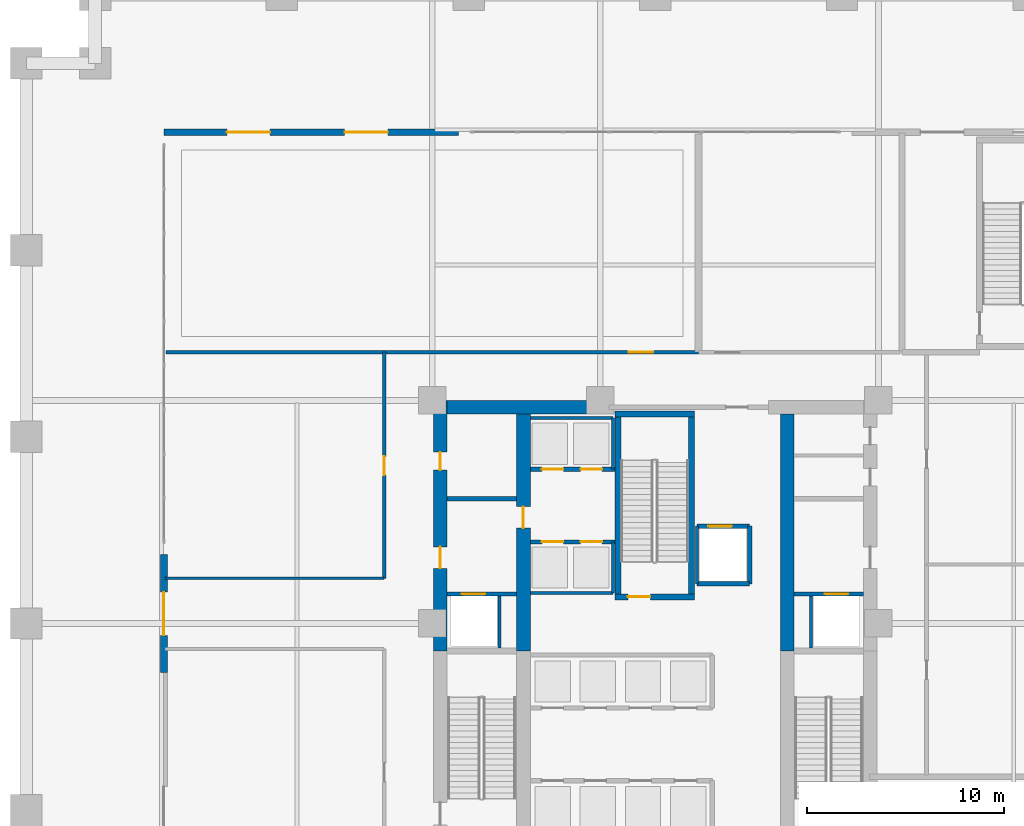
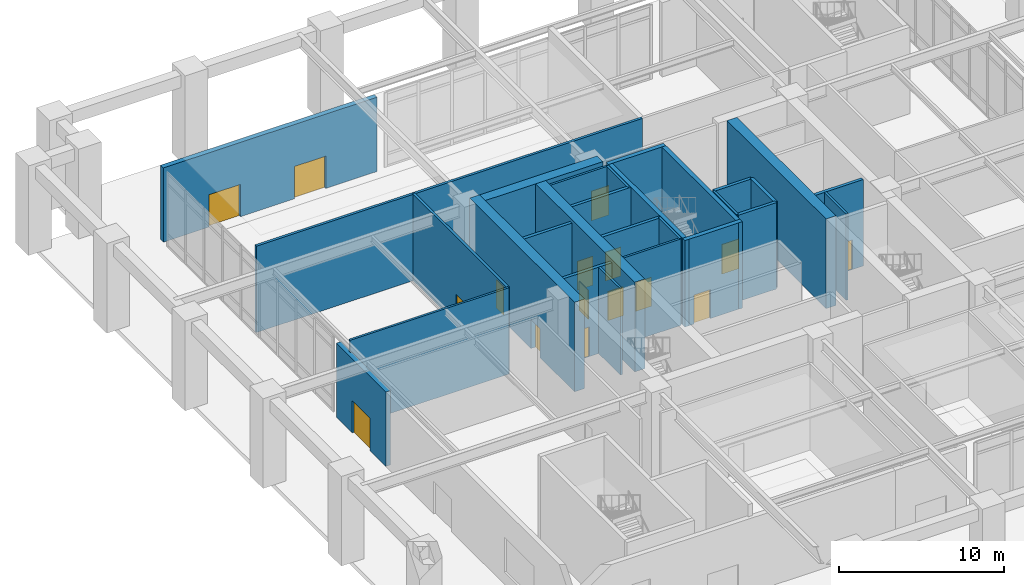
# One storey, part 10 of 17: 28 walls, 16 doors, 16 openings.
"""IFC4 building model written with IfcOpenShell, lengths in metres."""

from ifc_helpers import new_model, si_unit, direction, frame, frame_2d, origin, place, context, subcontext, project, spatial, rectangle, extrude, material, layer, layer_set, type_object, element, fill, save


model = new_model("IFC4")

# Units and contexts
model_context = context("Model", 3, precision=1e-05, world=origin(), true_north=direction((0.0, 1.0)))
body_context = subcontext(model_context, "Body", "Model", "MODEL_VIEW")
ifc_project = project(units=[si_unit("LENGTHUNIT", "METRE"), si_unit("AREAUNIT", "SQUARE_METRE"), si_unit("VOLUMEUNIT", "CUBIC_METRE"), si_unit("PLANEANGLEUNIT", "RADIAN"), si_unit("MASSUNIT", "GRAM", prefix="KILO")], contexts=[model_context])

# Site, building, storey
site_placement = place(None, origin())
site = spatial("IfcSite", under=ifc_project, at=site_placement, CompositionType="ELEMENT")
building_placement = place(site_placement, origin())
building = spatial("IfcBuilding", under=site, at=building_placement, Name="Nhamokura Convention Tower", CompositionType="ELEMENT")
storey_placement = place(building_placement, origin())
storey = spatial("IfcBuildingStorey", under=building, at=storey_placement, Name="L00", CompositionType="ELEMENT", Elevation=0.0)

# Wall, openings, doors
ifc_material_1 = material(Name="Warm buff architectural precast concrete C45/55", Category="concrete")
ifc_layer_1 = layer(ifc_material_1, 0.340087890625)
ifc_layer_set_1 = layer_set([ifc_layer_1], Name="CastStoneBaseWall_340")
wall_type_1 = type_object("IfcWallType", Name="CastStoneBaseWall_340", PredefinedType="USERDEFINED", material=ifc_layer_set_1)
wall_1_placement = place(storey_placement, frame((7.0, 57.0, 0.0), z_axis=(0.0, 0.0, 1.0), x_axis=(1.0, 0.0, 0.0)))
wall_1 = element("IfcWall", 1, at=wall_1_placement, inside=storey, type_object=wall_type_1, Name="L00 Arrival Pavilion Wall NL", ObjectType="SPANDREL_WALL", PredefinedType="USERDEFINED", context=body_context, shape_type="SweptSolid", body=[
    extrude(rectangle(XDim=15.0, YDim=0.340087890625, at=frame_2d((7.5, 0.0))), origin(), (0.0, 0.0, 1.0), 5.510009765625),
])
opening_1_placement = place(wall_1_placement, frame((3.199951171875, 0.0, 0.0)))
opening_1 = element("IfcOpeningElement", 2, at=opening_1_placement, cuts=wall_1, Name="Opening D-01", PredefinedType="OPENING", context=body_context, shape_type="SweptSolid", body=[
    extrude(rectangle(XDim=2.199951171875, YDim=2.39990234375, at=frame_2d((1.10009765625, 1.199951171875))), frame((0.0, 0.179931640625, 0.0), z_axis=(0.0, -1.0, 0.0), x_axis=(1.0, 0.0, 0.0)), (0.0, 0.0, 1.0), 0.360107421875),
])
opening_2_placement = place(wall_1_placement, frame((9.199951171875, 0.0, 0.0)))
opening_2 = element("IfcOpeningElement", 3, at=opening_2_placement, cuts=wall_1, Name="Opening D-01", PredefinedType="OPENING", context=body_context, shape_type="SweptSolid", body=[
    extrude(rectangle(XDim=2.199951171875, YDim=2.39990234375, at=frame_2d((1.10009765625, 1.199951171875))), frame((0.0, 0.179931640625, 0.0), z_axis=(0.0, -1.0, 0.0), x_axis=(1.0, 0.0, 0.0)), (0.0, 0.0, 1.0), 0.360107421875),
])
ifc_material_2 = material(Name="Anodised bronze aluminium AA6063-T6", Category="aluminium")
door_type_1 = type_object("IfcDoorType", Name="FinalExitDoubleDoor_2200", OperationType="DOUBLE_DOOR_SINGLE_SWING", PredefinedType="DOOR", material=ifc_material_2)
door_1_placement = place(opening_1_placement, origin())
door_1 = element("IfcDoor", 4, at=door_1_placement, inside=storey, type_object=door_type_1, Name="L00 Pedestrian Final Exit Door EX-06", OperationType="DOUBLE_DOOR_SINGLE_SWING", OverallHeight=2.39990234375, OverallWidth=2.199951171875, PredefinedType="DOOR", context=body_context, shape_type="SweptSolid", body=[
    extrude(rectangle(XDim=2.199951171875, YDim=2.39990234375, at=frame_2d((1.10009765625, 1.199951171875))), frame((0.0, 0.02490234375, 0.0), z_axis=(0.0, -1.0, 0.0), x_axis=(1.0, 0.0, 0.0)), (0.0, 0.0, 1.0), 0.050048828125),
])
fill(opening_1, door_1)
door_2_placement = place(opening_2_placement, origin())
door_2 = element("IfcDoor", 5, at=door_2_placement, inside=storey, type_object=door_type_1, Name="L00 Pedestrian Final Exit Door EX-07", OperationType="DOUBLE_DOOR_SINGLE_SWING", OverallHeight=2.39990234375, OverallWidth=2.199951171875, PredefinedType="DOOR", context=body_context, shape_type="SweptSolid", body=[
    extrude(rectangle(XDim=2.199951171875, YDim=2.39990234375, at=frame_2d((1.10009765625, 1.199951171875))), frame((0.0, 0.02490234375, 0.0), z_axis=(0.0, -1.0, 0.0), x_axis=(1.0, 0.0, 0.0)), (0.0, 0.0, 1.0), 0.050048828125),
])
fill(opening_2, door_2)

# Wall, opening, door
wall_2_placement = place(storey_placement, frame((7.0, 29.5, 0.0), z_axis=(0.0, 0.0, 1.0), x_axis=(0.0, 1.0, 0.0)))
wall_2 = element("IfcWall", 6, at=wall_2_placement, inside=storey, type_object=wall_type_1, Name="L00 Arrival Pavilion Wall WM", ObjectType="SPANDREL_WALL", PredefinedType="USERDEFINED", context=body_context, shape_type="SweptSolid", body=[
    extrude(rectangle(XDim=6.0, YDim=0.340087890625, at=frame_2d((3.0, 0.0))), origin(), (0.0, 0.0, 1.0), 5.510009765625),
])
opening_3_placement = place(wall_2_placement, frame((1.89990234375, 0.0, 0.0)))
opening_3 = element("IfcOpeningElement", 7, at=opening_3_placement, cuts=wall_2, Name="Opening D-01", PredefinedType="OPENING", context=body_context, shape_type="SweptSolid", body=[
    extrude(rectangle(XDim=2.199951171875, YDim=2.39990234375, at=frame_2d((1.10009765625, 1.199951171875))), frame((0.0, 0.179931640625, 0.0), z_axis=(0.0, -1.0, 0.0), x_axis=(1.0, 0.0, 0.0)), (0.0, 0.0, 1.0), 0.360107421875),
])
door_3_placement = place(opening_3_placement, origin())
door_3 = element("IfcDoor", 8, at=door_3_placement, inside=storey, type_object=door_type_1, Name="L00 Pedestrian Final Exit Door EX-08", OperationType="DOUBLE_DOOR_SINGLE_SWING", OverallHeight=2.39990234375, OverallWidth=2.199951171875, PredefinedType="DOOR", context=body_context, shape_type="SweptSolid", body=[
    extrude(rectangle(XDim=2.199951171875, YDim=2.39990234375, at=frame_2d((1.10009765625, 1.199951171875))), frame((0.0, 0.02490234375, 0.0), z_axis=(0.0, -1.0, 0.0), x_axis=(1.0, 0.0, 0.0)), (0.0, 0.0, 1.0), 0.050048828125),
])
fill(opening_3, door_3)

# Wall, openings, doors
ifc_material_3 = material(Name="Concrete C70/85", Category="concrete")
ifc_layer_2 = layer(ifc_material_3, 0.699951171875)
ifc_layer_set_2 = layer_set([ifc_layer_2], Name="CoreShearWall_700")
wall_type_2 = type_object("IfcWallType", Name="CoreShearWall_700", PredefinedType="SHEAR", material=ifc_layer_set_2)
wall_3_placement = place(storey_placement, frame((21.06005859375, 30.60009765625, 0.0), z_axis=(0.0, 0.0, 1.0), x_axis=(0.0, 1.0, 0.0)))
wall_3 = element("IfcWall", 9, at=wall_3_placement, inside=storey, type_object=wall_type_2, Name="L00 Core Shear Wall CW-WN", PredefinedType="SHEAR", context=body_context, shape_type="SweptSolid", body=[
    extrude(rectangle(XDim=12.75, YDim=0.699951171875, at=frame_2d((6.375, 0.0))), origin(), (0.0, 0.0, 1.0), 6.64990234375),
])
opening_4_placement = place(wall_3_placement, frame((4.199951171875, 0.0, 0.0)))
opening_4 = element("IfcOpeningElement", 10, at=opening_4_placement, cuts=wall_3, Name="Opening D-05", PredefinedType="OPENING", context=body_context, shape_type="SweptSolid", body=[
    extrude(rectangle(XDim=1.10009765625, YDim=2.14990234375, at=frame_2d((0.550048828125, 1.074951171875))), frame((0.0, 0.35986328125, 0.0), z_axis=(0.0, -1.0, 0.0), x_axis=(1.0, 0.0, 0.0)), (0.0, 0.0, 1.0), 0.719970703125),
])
opening_5_placement = place(wall_3_placement, frame((9.199951171875, 0.0, 0.0)))
opening_5 = element("IfcOpeningElement", 11, at=opening_5_placement, cuts=wall_3, Name="Opening D-10", PredefinedType="OPENING", context=body_context, shape_type="SweptSolid", body=[
    extrude(rectangle(XDim=0.919921875, YDim=2.10009765625, at=frame_2d((0.4599609375, 1.050048828125))), frame((0.0, 0.35986328125, 0.0), z_axis=(0.0, -1.0, 0.0), x_axis=(1.0, 0.0, 0.0)), (0.0, 0.0, 1.0), 0.719970703125),
])
ifc_material_4 = material(Name="Solid oak hardwood", Category="wood")
door_type_2 = type_object("IfcDoorType", Name="AccessibleWCDoor_920", OperationType="NOTDEFINED", PredefinedType="DOOR", material=ifc_material_4)
door_4_placement = place(opening_5_placement, origin())
door_4 = element("IfcDoor", 12, at=door_4_placement, inside=storey, type_object=door_type_2, Name="L00 Core Door INT-L00-D-AWC", OperationType="SINGLE_SWING_LEFT", OverallHeight=2.10009765625, OverallWidth=0.919921875, PredefinedType="DOOR", context=body_context, shape_type="SweptSolid", body=[
    extrude(rectangle(XDim=0.919921875, YDim=2.10009765625, at=frame_2d((0.4599609375, 1.050048828125))), frame((0.0, 0.02490234375, 0.0), z_axis=(0.0, -1.0, 0.0), x_axis=(1.0, 0.0, 0.0)), (0.0, 0.0, 1.0), 0.050048828125),
])
fill(opening_5, door_4)
ifc_material_5 = material(Name="Fire-rated steel door", Category="steel")
door_type_3 = type_object("IfcDoorType", Name="FireLobbyDoor_1100", OperationType="NOTDEFINED", PredefinedType="DOOR", material=ifc_material_5)
door_5_placement = place(opening_4_placement, origin())
door_5 = element("IfcDoor", 13, at=door_5_placement, inside=storey, type_object=door_type_3, Name="L00 Core Door INT-L00-D-FFLW", OperationType="SINGLE_SWING_RIGHT", OverallHeight=2.14990234375, OverallWidth=1.10009765625, PredefinedType="DOOR", context=body_context, shape_type="SweptSolid", body=[
    extrude(rectangle(XDim=1.10009765625, YDim=2.14990234375, at=frame_2d((0.550048828125, 1.074951171875))), frame((0.0, 0.02490234375, 0.0), z_axis=(0.0, -1.0, 0.0), x_axis=(1.0, 0.0, 0.0)), (0.0, 0.0, 1.0), 0.050048828125),
])
fill(opening_4, door_5)

# Wall
wall_4_placement = place(storey_placement, frame((21.409912109375, 43.0, 0.0), z_axis=(0.0, 0.0, 1.0), x_axis=(1.0, 0.0, 0.0)))
element("IfcWall", 14, at=wall_4_placement, inside=storey, type_object=wall_type_2, Name="L00 Core Shear Wall CW-N1", PredefinedType="SHEAR", context=body_context, shape_type="SweptSolid", body=[
    extrude(rectangle(XDim=8.239990234375, YDim=0.699951171875, at=frame_2d((4.1201171875, 0.0))), origin(), (0.0, 0.0, 1.0), 6.64990234375),
])

# Wall, opening, door
wall_5_placement = place(storey_placement, frame((25.2900390625, 30.60009765625, 0.0), z_axis=(0.0, 0.0, 1.0), x_axis=(0.0, 1.0, 0.0)))
wall_5 = element("IfcWall", 15, at=wall_5_placement, inside=storey, type_object=wall_type_2, Name="L00 Core Shear Wall CW-IWN", PredefinedType="SHEAR", context=body_context, shape_type="SweptSolid", body=[
    extrude(rectangle(XDim=12.0498046875, YDim=0.699951171875, at=frame_2d((6.02490234375, 0.0))), origin(), (0.0, 0.0, 1.0), 6.64990234375),
])
opening_6_placement = place(wall_5_placement, frame((6.25, 0.0, 0.0)))
opening_6 = element("IfcOpeningElement", 16, at=opening_6_placement, cuts=wall_5, Name="Opening D-05", PredefinedType="OPENING", context=body_context, shape_type="SweptSolid", body=[
    extrude(rectangle(XDim=1.10009765625, YDim=2.14990234375, at=frame_2d((0.550048828125, 1.074951171875))), frame((0.0, 0.35986328125, 0.0), z_axis=(0.0, -1.0, 0.0), x_axis=(1.0, 0.0, 0.0)), (0.0, 0.0, 1.0), 0.719970703125),
])
door_6_placement = place(opening_6_placement, origin())
door_6 = element("IfcDoor", 17, at=door_6_placement, inside=storey, type_object=door_type_3, Name="L00 Core Door INT-L00-D-B3LOB", OperationType="SINGLE_SWING_LEFT", OverallHeight=2.14990234375, OverallWidth=1.10009765625, PredefinedType="DOOR", context=body_context, shape_type="SweptSolid", body=[
    extrude(rectangle(XDim=1.10009765625, YDim=2.14990234375, at=frame_2d((0.550048828125, 1.074951171875))), frame((0.0, 0.02490234375, 0.0), z_axis=(0.0, -1.0, 0.0), x_axis=(1.0, 0.0, 0.0)), (0.0, 0.0, 1.0), 0.050048828125),
])
fill(opening_6, door_6)

# Wall
wall_6_placement = place(storey_placement, frame((38.7099609375, 30.60009765625, 0.0), z_axis=(0.0, 0.0, 1.0), x_axis=(0.0, 1.0, 0.0)))
element("IfcWall", 18, at=wall_6_placement, inside=storey, type_object=wall_type_2, Name="L00 Core Shear Wall CW-IEN", PredefinedType="SHEAR", context=body_context, shape_type="SweptSolid", body=[
    extrude(rectangle(XDim=12.0498046875, YDim=0.699951171875, at=frame_2d((6.02490234375, 0.0))), origin(), (0.0, 0.0, 1.0), 6.64990234375),
])

# Wall, opening, door
ifc_material_6 = material(Name="Fire-rated gypsum and masonry partition", Category="masonry")
ifc_layer_3 = layer(ifc_material_6, 0.179931640625)
ifc_layer_set_3 = layer_set([ifc_layer_3], Name="CorridorRatedWall_180")
wall_type_3 = type_object("IfcWallType", Name="CorridorRatedWall_180", PredefinedType="STANDARD", material=ifc_layer_set_3)
wall_7_placement = place(storey_placement, frame((7.10009765625, 45.800048828125, 0.0), z_axis=(0.0, 0.0, 1.0), x_axis=(1.0, 0.0, 0.0)))
wall_7 = element("IfcWall", 19, at=wall_7_placement, inside=storey, type_object=wall_type_3, Name="L00 Wall INT-L00-CW-N00", PredefinedType="STANDARD", context=body_context, shape_type="SweptSolid", body=[
    extrude(rectangle(XDim=27.099853515625, YDim=0.179931640625, at=frame_2d((13.5498046875, 0.0))), origin(), (0.0, 0.0, 1.0), 6.409912109375),
])
opening_7_placement = place(wall_7_placement, frame((23.550048828125, 0.0, 0.0)))
opening_7 = element("IfcOpeningElement", 20, at=opening_7_placement, cuts=wall_7, Name="Opening D-12", PredefinedType="OPENING", context=body_context, shape_type="SweptSolid", body=[
    extrude(rectangle(XDim=1.25, YDim=2.199951171875, at=frame_2d((0.625, 1.10009765625))), frame((0.0, 0.099853515625, 0.0), z_axis=(0.0, -1.0, 0.0), x_axis=(1.0, 0.0, 0.0)), (0.0, 0.0, 1.0), 0.199951171875),
])
ifc_material_7 = material(Name="Fire-rated steel door", Category="steel")
door_type_4 = type_object("IfcDoorType", Name="PlantServiceDoor_1250", OperationType="NOTDEFINED", PredefinedType="DOOR", material=ifc_material_7)
door_7_placement = place(opening_7_placement, origin())
door_7 = element("IfcDoor", 21, at=door_7_placement, inside=storey, type_object=door_type_4, Name="L00 Fire Command Room N01 Door", OperationType="SINGLE_SWING_LEFT", OverallHeight=2.199951171875, OverallWidth=1.25, PredefinedType="DOOR", context=body_context, shape_type="SweptSolid", body=[
    extrude(rectangle(XDim=1.25, YDim=2.199951171875, at=frame_2d((0.625, 1.10009765625))), frame((0.0, 0.02490234375, 0.0), z_axis=(0.0, -1.0, 0.0), x_axis=(1.0, 0.0, 0.0)), (0.0, 0.0, 1.0), 0.050048828125),
])
fill(opening_7, door_7)

wall_8_placement = place(storey_placement, frame((18.199951171875, 34.300048828125, 0.0), z_axis=(0.0, 0.0, 1.0), x_axis=(0.0, 1.0, 0.0)))
wall_8 = element("IfcWall", 22, at=wall_8_placement, inside=storey, type_object=wall_type_3, Name="L00 Wall INT-L00-CW-WN00", PredefinedType="STANDARD", context=body_context, shape_type="SweptSolid", body=[
    extrude(rectangle(XDim=11.5, YDim=0.179931640625, at=frame_2d((5.75, 0.0))), origin(), (0.0, 0.0, 1.0), 6.409912109375),
])
opening_8_placement = place(wall_8_placement, frame((5.25, 0.0, 0.0)))
opening_8 = element("IfcOpeningElement", 23, at=opening_8_placement, cuts=wall_8, Name="Opening D-09", PredefinedType="OPENING", context=body_context, shape_type="SweptSolid", body=[
    extrude(rectangle(XDim=0.949951171875, YDim=2.14990234375, at=frame_2d((0.47509765625, 1.074951171875))), frame((0.0, 0.099853515625, 0.0), z_axis=(0.0, -1.0, 0.0), x_axis=(1.0, 0.0, 0.0)), (0.0, 0.0, 1.0), 0.199951171875),
])
ifc_material_8 = material(Name="Solid oak hardwood", Category="wood")
door_type_5 = type_object("IfcDoorType", Name="MeetingRoomDoor_950", OperationType="NOTDEFINED", PredefinedType="DOOR", material=ifc_material_8)
door_8_placement = place(opening_8_placement, origin())
door_8 = element("IfcDoor", 24, at=door_8_placement, inside=storey, type_object=door_type_5, Name="L00 VIP Arrival Lounge WN01 Door", OperationType="SINGLE_SWING_LEFT", OverallHeight=2.14990234375, OverallWidth=0.949951171875, PredefinedType="DOOR", context=body_context, shape_type="SweptSolid", body=[
    extrude(rectangle(XDim=0.949951171875, YDim=2.14990234375, at=frame_2d((0.47509765625, 1.074951171875))), frame((0.0, 0.02490234375, 0.0), z_axis=(0.0, -1.0, 0.0), x_axis=(1.0, 0.0, 0.0)), (0.0, 0.0, 1.0), 0.050048828125),
])
fill(opening_8, door_8)

ifc_material_9 = material(Name="Autoclaved concrete blockwork", Category="masonry")
ifc_layer_4 = layer(ifc_material_9, 0.219970703125)
ifc_layer_set_4 = layer_set([ifc_layer_4], Name="FireLobbyWall_220")
wall_type_4 = type_object("IfcWallType", Name="FireLobbyWall_220", PredefinedType="STANDARD", material=ifc_layer_set_4)
wall_9_placement = place(storey_placement, frame((21.409912109375, 33.5, 0.0), z_axis=(0.0, 0.0, 1.0), x_axis=(1.0, 0.0, 0.0)))
wall_9 = element("IfcWall", 25, at=wall_9_placement, inside=storey, type_object=wall_type_4, Name="L00 Wall INT-L00-FFW-S", PredefinedType="STANDARD", context=body_context, shape_type="SweptSolid", body=[
    extrude(rectangle(XDim=3.530029296875, YDim=0.219970703125, at=frame_2d((1.76513671875, 0.0))), origin(), (0.0, 0.0, 1.0), 6.409912109375),
])
opening_9_placement = place(wall_9_placement, frame((0.75, 0.0, 0.0)))
opening_9 = element("IfcOpeningElement", 26, at=opening_9_placement, cuts=wall_9, Name="Opening LD-02", PredefinedType="OPENING", context=body_context, shape_type="SweptSolid", body=[
    extrude(rectangle(XDim=1.199951171875, YDim=2.199951171875, at=frame_2d((0.60009765625, 1.10009765625))), frame((0.0, 0.119873046875, 0.0), z_axis=(0.0, -1.0, 0.0), x_axis=(1.0, 0.0, 0.0)), (0.0, 0.0, 1.0), 0.239990234375),
])
ifc_material_10 = material(Name="Anodised bronze stainless steel", Category="steel")
door_type_6 = type_object("IfcDoorType", Name="LiftLandingDoor_FireService", OperationType="DOUBLE_DOOR_SLIDING", PredefinedType="DOOR", material=ifc_material_10)
door_9_placement = place(opening_9_placement, origin())
door_9 = element("IfcDoor", 27, at=door_9_placement, inside=storey, type_object=door_type_6, Name="L00 Firefighting Lift LF-01 Door", OperationType="DOUBLE_DOOR_SLIDING", OverallHeight=2.199951171875, OverallWidth=1.199951171875, PredefinedType="DOOR", context=body_context, shape_type="SweptSolid", body=[
    extrude(rectangle(XDim=1.199951171875, YDim=2.199951171875, at=frame_2d((0.60009765625, 1.10009765625))), frame((0.0, 0.02490234375, 0.0), z_axis=(0.0, -1.0, 0.0), x_axis=(1.0, 0.0, 0.0)), (0.0, 0.0, 1.0), 0.050048828125),
])
fill(opening_9, door_9)

wall_10_placement = place(storey_placement, frame((39.06005859375, 33.5, 0.0), z_axis=(0.0, 0.0, 1.0), x_axis=(1.0, 0.0, 0.0)))
wall_10 = element("IfcWall", 28, at=wall_10_placement, inside=storey, type_object=wall_type_4, Name="L00 Wall INT-L00-FFE-S", PredefinedType="STANDARD", context=body_context, shape_type="SweptSolid", body=[
    extrude(rectangle(XDim=3.530029296875, YDim=0.219970703125, at=frame_2d((1.76513671875, 0.0))), origin(), (0.0, 0.0, 1.0), 6.409912109375),
])
opening_10_placement = place(wall_10_placement, frame((1.550048828125, 0.0, 0.0)))
opening_10 = element("IfcOpeningElement", 29, at=opening_10_placement, cuts=wall_10, Name="Opening LD-02", PredefinedType="OPENING", context=body_context, shape_type="SweptSolid", body=[
    extrude(rectangle(XDim=1.199951171875, YDim=2.199951171875, at=frame_2d((0.60009765625, 1.10009765625))), frame((0.0, 0.119873046875, 0.0), z_axis=(0.0, -1.0, 0.0), x_axis=(1.0, 0.0, 0.0)), (0.0, 0.0, 1.0), 0.239990234375),
])
door_10_placement = place(opening_10_placement, origin())
door_10 = element("IfcDoor", 30, at=door_10_placement, inside=storey, type_object=door_type_6, Name="L00 Firefighting Lift LF-02 Door", OperationType="DOUBLE_DOOR_SLIDING", OverallHeight=2.199951171875, OverallWidth=1.199951171875, PredefinedType="DOOR", context=body_context, shape_type="SweptSolid", body=[
    extrude(rectangle(XDim=1.199951171875, YDim=2.199951171875, at=frame_2d((0.60009765625, 1.10009765625))), frame((0.0, 0.02490234375, 0.0), z_axis=(0.0, -1.0, 0.0), x_axis=(1.0, 0.0, 0.0)), (0.0, 0.0, 1.0), 0.050048828125),
])
fill(opening_10, door_10)

# Wall
wall_11_placement = place(storey_placement, frame((21.409912109375, 38.35009765625, 0.0), z_axis=(0.0, 0.0, 1.0), x_axis=(1.0, 0.0, 0.0)))
element("IfcWall", 31, at=wall_11_placement, inside=storey, type_object=wall_type_4, Name="L00 Wall INT-L00-FFW-N", PredefinedType="STANDARD", context=body_context, shape_type="SweptSolid", body=[
    extrude(rectangle(XDim=3.530029296875, YDim=0.219970703125, at=frame_2d((1.76513671875, 0.0))), origin(), (0.0, 0.0, 1.0), 6.409912109375),
])

# Wall, openings, doors
wall_12_placement = place(storey_placement, frame((25.64990234375, 36.14990234375, 0.0), z_axis=(0.0, 0.0, 1.0), x_axis=(1.0, 0.0, 0.0)))
wall_12 = element("IfcWall", 32, at=wall_12_placement, inside=storey, type_object=wall_type_4, Name="L00 Wall INT-L00-B3S", PredefinedType="STANDARD", context=body_context, shape_type="SweptSolid", body=[
    extrude(rectangle(XDim=4.300048828125, YDim=0.219970703125, at=frame_2d((2.14990234375, 0.0))), origin(), (0.0, 0.0, 1.0), 6.409912109375),
])
opening_11_placement = place(wall_12_placement, frame((0.580078125, 0.0, 0.0)))
opening_11 = element("IfcOpeningElement", 33, at=opening_11_placement, cuts=wall_12, Name="Opening LD-01", PredefinedType="OPENING", context=body_context, shape_type="SweptSolid", body=[
    extrude(rectangle(XDim=1.10009765625, YDim=2.14990234375, at=frame_2d((0.550048828125, 1.074951171875))), frame((0.0, 0.119873046875, 0.0), z_axis=(0.0, -1.0, 0.0), x_axis=(1.0, 0.0, 0.0)), (0.0, 0.0, 1.0), 0.239990234375),
])
opening_12_placement = place(wall_12_placement, frame((2.550048828125, 0.0, 0.0)))
opening_12 = element("IfcOpeningElement", 34, at=opening_12_placement, cuts=wall_12, Name="Opening LD-01", PredefinedType="OPENING", context=body_context, shape_type="SweptSolid", body=[
    extrude(rectangle(XDim=1.10009765625, YDim=2.14990234375, at=frame_2d((0.550048828125, 1.074951171875))), frame((0.0, 0.119873046875, 0.0), z_axis=(0.0, -1.0, 0.0), x_axis=(1.0, 0.0, 0.0)), (0.0, 0.0, 1.0), 0.239990234375),
])
ifc_material_11 = material(Name="Anodised bronze stainless steel", Category="steel")
door_type_7 = type_object("IfcDoorType", Name="LiftLandingDoor_Passenger", OperationType="DOUBLE_DOOR_SLIDING", PredefinedType="DOOR", material=ifc_material_11)
door_11_placement = place(opening_11_placement, origin())
door_11 = element("IfcDoor", 35, at=door_11_placement, inside=storey, type_object=door_type_7, Name="L00 Lift LP-09 Door", OperationType="DOUBLE_DOOR_SLIDING", OverallHeight=2.14990234375, OverallWidth=1.10009765625, PredefinedType="DOOR", context=body_context, shape_type="SweptSolid", body=[
    extrude(rectangle(XDim=1.10009765625, YDim=2.14990234375, at=frame_2d((0.550048828125, 1.074951171875))), frame((0.0, 0.02490234375, 0.0), z_axis=(0.0, -1.0, 0.0), x_axis=(1.0, 0.0, 0.0)), (0.0, 0.0, 1.0), 0.050048828125),
])
fill(opening_11, door_11)
door_12_placement = place(opening_12_placement, origin())
door_12 = element("IfcDoor", 36, at=door_12_placement, inside=storey, type_object=door_type_7, Name="L00 Lift LP-10 Door", OperationType="DOUBLE_DOOR_SLIDING", OverallHeight=2.14990234375, OverallWidth=1.10009765625, PredefinedType="DOOR", context=body_context, shape_type="SweptSolid", body=[
    extrude(rectangle(XDim=1.10009765625, YDim=2.14990234375, at=frame_2d((0.550048828125, 1.074951171875))), frame((0.0, 0.02490234375, 0.0), z_axis=(0.0, -1.0, 0.0), x_axis=(1.0, 0.0, 0.0)), (0.0, 0.0, 1.0), 0.050048828125),
])
fill(opening_12, door_12)

wall_13_placement = place(storey_placement, frame((25.64990234375, 39.85009765625, 0.0), z_axis=(0.0, 0.0, 1.0), x_axis=(1.0, 0.0, 0.0)))
wall_13 = element("IfcWall", 37, at=wall_13_placement, inside=storey, type_object=wall_type_4, Name="L00 Wall INT-L00-B3N", PredefinedType="STANDARD", context=body_context, shape_type="SweptSolid", body=[
    extrude(rectangle(XDim=4.300048828125, YDim=0.219970703125, at=frame_2d((2.14990234375, 0.0))), origin(), (0.0, 0.0, 1.0), 6.409912109375),
])
opening_13_placement = place(wall_13_placement, frame((0.580078125, 0.0, 0.0)))
opening_13 = element("IfcOpeningElement", 38, at=opening_13_placement, cuts=wall_13, Name="Opening LD-01", PredefinedType="OPENING", context=body_context, shape_type="SweptSolid", body=[
    extrude(rectangle(XDim=1.10009765625, YDim=2.14990234375, at=frame_2d((0.550048828125, 1.074951171875))), frame((0.0, 0.119873046875, 0.0), z_axis=(0.0, -1.0, 0.0), x_axis=(1.0, 0.0, 0.0)), (0.0, 0.0, 1.0), 0.239990234375),
])
opening_14_placement = place(wall_13_placement, frame((2.550048828125, 0.0, 0.0)))
opening_14 = element("IfcOpeningElement", 39, at=opening_14_placement, cuts=wall_13, Name="Opening LD-01", PredefinedType="OPENING", context=body_context, shape_type="SweptSolid", body=[
    extrude(rectangle(XDim=1.10009765625, YDim=2.14990234375, at=frame_2d((0.550048828125, 1.074951171875))), frame((0.0, 0.119873046875, 0.0), z_axis=(0.0, -1.0, 0.0), x_axis=(1.0, 0.0, 0.0)), (0.0, 0.0, 1.0), 0.239990234375),
])
door_13_placement = place(opening_13_placement, origin())
door_13 = element("IfcDoor", 40, at=door_13_placement, inside=storey, type_object=door_type_7, Name="L00 Lift LP-11 Door", OperationType="DOUBLE_DOOR_SLIDING", OverallHeight=2.14990234375, OverallWidth=1.10009765625, PredefinedType="DOOR", context=body_context, shape_type="SweptSolid", body=[
    extrude(rectangle(XDim=1.10009765625, YDim=2.14990234375, at=frame_2d((0.550048828125, 1.074951171875))), frame((0.0, 0.02490234375, 0.0), z_axis=(0.0, -1.0, 0.0), x_axis=(1.0, 0.0, 0.0)), (0.0, 0.0, 1.0), 0.050048828125),
])
fill(opening_13, door_13)
door_14_placement = place(opening_14_placement, origin())
door_14 = element("IfcDoor", 41, at=door_14_placement, inside=storey, type_object=door_type_7, Name="L00 Lift LP-12 Door", OperationType="DOUBLE_DOOR_SLIDING", OverallHeight=2.14990234375, OverallWidth=1.10009765625, PredefinedType="DOOR", context=body_context, shape_type="SweptSolid", body=[
    extrude(rectangle(XDim=1.10009765625, YDim=2.14990234375, at=frame_2d((0.550048828125, 1.074951171875))), frame((0.0, 0.02490234375, 0.0), z_axis=(0.0, -1.0, 0.0), x_axis=(1.0, 0.0, 0.0)), (0.0, 0.0, 1.0), 0.050048828125),
])
fill(opening_14, door_14)

# Wall, opening, door
wall_14_placement = place(storey_placement, frame((34.1201171875, 36.949951171875, 0.0), z_axis=(0.0, 0.0, 1.0), x_axis=(1.0, 0.0, 0.0)))
wall_14 = element("IfcWall", 42, at=wall_14_placement, inside=storey, type_object=wall_type_4, Name="L00 Wall INT-L00-LSN", PredefinedType="STANDARD", context=body_context, shape_type="SweptSolid", body=[
    extrude(rectangle(XDim=2.679931640625, YDim=0.219970703125, at=frame_2d((1.33984375, 0.0))), origin(), (0.0, 0.0, 1.0), 6.409912109375),
])
opening_15_placement = place(wall_14_placement, frame((0.580078125, 0.0, 0.0)))
opening_15 = element("IfcOpeningElement", 43, at=opening_15_placement, cuts=wall_14, Name="Opening LD-02", PredefinedType="OPENING", context=body_context, shape_type="SweptSolid", body=[
    extrude(rectangle(XDim=1.199951171875, YDim=2.199951171875, at=frame_2d((0.60009765625, 1.10009765625))), frame((0.0, 0.119873046875, 0.0), z_axis=(0.0, -1.0, 0.0), x_axis=(1.0, 0.0, 0.0)), (0.0, 0.0, 1.0), 0.239990234375),
])
door_15_placement = place(opening_15_placement, origin())
door_15 = element("IfcDoor", 44, at=door_15_placement, inside=storey, type_object=door_type_6, Name="L00 Service Lift LS-01 Door", OperationType="DOUBLE_DOOR_SLIDING", OverallHeight=2.199951171875, OverallWidth=1.199951171875, PredefinedType="DOOR", context=body_context, shape_type="SweptSolid", body=[
    extrude(rectangle(XDim=1.199951171875, YDim=2.199951171875, at=frame_2d((0.60009765625, 1.10009765625))), frame((0.0, 0.02490234375, 0.0), z_axis=(0.0, -1.0, 0.0), x_axis=(1.0, 0.0, 0.0)), (0.0, 0.0, 1.0), 0.050048828125),
])
fill(opening_15, door_15)

# Walls
wall_15_placement = place(storey_placement, frame((36.800048828125, 34.02001953125, 0.0), z_axis=(0.0, 0.0, 1.0), x_axis=(0.0, 1.0, 0.0)))
element("IfcWall", 45, at=wall_15_placement, inside=storey, type_object=wall_type_4, Name="L00 Wall INT-L00-LSE", PredefinedType="STANDARD", context=body_context, shape_type="SweptSolid", body=[
    extrude(rectangle(XDim=2.929931640625, YDim=0.219970703125, at=frame_2d((1.46484375, 0.0))), origin(), (0.0, 0.0, 1.0), 6.409912109375),
])
wall_16_placement = place(storey_placement, frame((34.1201171875, 34.02001953125, 0.0), z_axis=(0.0, 0.0, 1.0), x_axis=(1.0, 0.0, 0.0)))
element("IfcWall", 46, at=wall_16_placement, inside=storey, type_object=wall_type_4, Name="L00 Wall INT-L00-LSS", PredefinedType="STANDARD", context=body_context, shape_type="SweptSolid", body=[
    extrude(rectangle(XDim=2.679931640625, YDim=0.219970703125, at=frame_2d((1.33984375, 0.0))), origin(), (0.0, 0.0, 1.0), 6.409912109375),
])
ifc_material_12 = material(Name="Acoustic gypsum stud partition", Category="masonry")
ifc_layer_5 = layer(ifc_material_12, 0.14990234375)
ifc_layer_set_5 = layer_set([ifc_layer_5], Name="InteriorPartition_150")
wall_type_5 = type_object("IfcWallType", Name="InteriorPartition_150", PredefinedType="STANDARD", material=ifc_layer_set_5)
for number, where, z_axis, x_axis, name in (
    (47, (24.080078125, 30.75, 0.0), (0.0, 0.0, 1.0), (0.0, 1.0, 0.0), "L00 Wall INT-L00-FF1-E"),
    (48, (39.919921875, 30.75, 0.0), (0.0, 0.0, 1.0), (0.0, 1.0, 0.0), "L00 Wall INT-L00-FF2-W"),
):
    element("IfcWall", number, at=place(storey_placement, frame(where, z_axis=z_axis, x_axis=x_axis)), inside=storey, type_object=wall_type_5, Name=name, PredefinedType="STANDARD", context=body_context, shape_type="SweptSolid", body=[
        extrude(rectangle(XDim=2.64990234375, YDim=0.14990234375, at=frame_2d((1.324951171875, 0.0))), origin(), (0.0, 0.0, 1.0), 6.409912109375),
    ])
wall_17_placement = place(storey_placement, frame((25.64990234375, 33.550048828125, 0.0), z_axis=(0.0, 0.0, 1.0), x_axis=(1.0, 0.0, 0.0)))
element("IfcWall", 49, at=wall_17_placement, inside=storey, type_object=wall_type_5, Name="L00 Wall INT-L00-B3A-S", PredefinedType="STANDARD", context=body_context, shape_type="SweptSolid", body=[
    extrude(rectangle(XDim=4.2001953125, YDim=0.14990234375, at=frame_2d((2.10009765625, 0.0))), origin(), (0.0, 0.0, 1.0), 6.409912109375),
])
wall_18_placement = place(storey_placement, frame((29.85009765625, 33.550048828125, 0.0), z_axis=(0.0, 0.0, 1.0), x_axis=(0.0, 1.0, 0.0)))
element("IfcWall", 50, at=wall_18_placement, inside=storey, type_object=wall_type_5, Name="L00 Wall INT-L00-B3A-E", PredefinedType="STANDARD", context=body_context, shape_type="SweptSolid", body=[
    extrude(rectangle(XDim=2.599853515625, YDim=0.14990234375, at=frame_2d((1.2998046875, 0.0))), origin(), (0.0, 0.0, 1.0), 6.409912109375),
])
wall_19_placement = place(storey_placement, frame((25.64990234375, 42.449951171875, 0.0), z_axis=(0.0, 0.0, 1.0), x_axis=(1.0, 0.0, 0.0)))
element("IfcWall", 51, at=wall_19_placement, inside=storey, type_object=wall_type_5, Name="L00 Wall INT-L00-B3B-N", PredefinedType="STANDARD", context=body_context, shape_type="SweptSolid", body=[
    extrude(rectangle(XDim=4.2001953125, YDim=0.14990234375, at=frame_2d((2.10009765625, 0.0))), origin(), (0.0, 0.0, 1.0), 6.409912109375),
])
wall_20_placement = place(storey_placement, frame((29.85009765625, 39.85009765625, 0.0), z_axis=(0.0, 0.0, 1.0), x_axis=(0.0, 1.0, 0.0)))
element("IfcWall", 52, at=wall_20_placement, inside=storey, type_object=wall_type_5, Name="L00 Wall INT-L00-B3B-E", PredefinedType="STANDARD", context=body_context, shape_type="SweptSolid", body=[
    extrude(rectangle(XDim=2.599853515625, YDim=0.14990234375, at=frame_2d((1.2998046875, 0.0))), origin(), (0.0, 0.0, 1.0), 6.409912109375),
])
wall_21_placement = place(storey_placement, frame((34.1201171875, 34.02001953125, 0.0), z_axis=(0.0, 0.0, 1.0), x_axis=(0.0, 1.0, 0.0)))
element("IfcWall", 53, at=wall_21_placement, inside=storey, type_object=wall_type_5, Name="L00 Wall INT-L00-LSW", PredefinedType="STANDARD", context=body_context, shape_type="SweptSolid", body=[
    extrude(rectangle(XDim=2.929931640625, YDim=0.14990234375, at=frame_2d((1.46484375, 0.0))), origin(), (0.0, 0.0, 1.0), 6.409912109375),
])
wall_22_placement = place(storey_placement, frame((7.050048828125, 34.300048828125, 0.0), z_axis=(0.0, 0.0, 1.0), x_axis=(1.0, 0.0, 0.0)))
element("IfcWall", 54, at=wall_22_placement, inside=storey, type_object=wall_type_5, Name="L00 Wall INT-L00-WP-N", PredefinedType="STANDARD", context=body_context, shape_type="SweptSolid", body=[
    extrude(rectangle(XDim=11.14990234375, YDim=0.14990234375, at=frame_2d((5.574951171875, 0.0))), origin(), (0.0, 0.0, 1.0), 6.409912109375),
])
ifc_material_13 = material(Name="Concrete C50/60", Category="concrete")
ifc_layer_6 = layer(ifc_material_13, 0.300048828125)
ifc_layer_set_6 = layer_set([ifc_layer_6], Name="ShaftEnclosureWall_300")
wall_type_6 = type_object("IfcWallType", Name="ShaftEnclosureWall_300", PredefinedType="SHEAR", material=ifc_layer_set_6)
for number, where, z_axis, x_axis, name in (
    (55, (30.10009765625, 33.199951171875, 0.0), (0.0, 0.0, 1.0), (0.0, 1.0, 0.0), "L00 Wall INT-L00-ST03W"),
    (56, (33.85009765625, 33.199951171875, 0.0), (0.0, 0.0, 1.0), (0.0, 1.0, 0.0), "L00 Wall INT-L00-ST03E"),
):
    element("IfcWall", number, at=place(storey_placement, frame(where, z_axis=z_axis, x_axis=x_axis)), inside=storey, type_object=wall_type_6, Name=name, PredefinedType="SHEAR", context=body_context, shape_type="SweptSolid", body=[
        extrude(rectangle(XDim=9.60009765625, YDim=0.300048828125, at=frame_2d((4.800048828125, 0.0))), origin(), (0.0, 0.0, 1.0), 6.409912109375),
    ])

# Wall, opening, door
wall_23_placement = place(storey_placement, frame((29.949951171875, 33.35009765625, 0.0), z_axis=(0.0, 0.0, 1.0), x_axis=(1.0, 0.0, 0.0)))
wall_23 = element("IfcWall", 57, at=wall_23_placement, inside=storey, type_object=wall_type_6, Name="L00 Wall INT-L00-ST03S", PredefinedType="SHEAR", context=body_context, shape_type="SweptSolid", body=[
    extrude(rectangle(XDim=4.050048828125, YDim=0.300048828125, at=frame_2d((2.02490234375, 0.0))), origin(), (0.0, 0.0, 1.0), 6.409912109375),
])
opening_16_placement = place(wall_23_placement, frame((0.64990234375, 0.0, 0.0)))
opening_16 = element("IfcOpeningElement", 58, at=opening_16_placement, cuts=wall_23, Name="Opening D-04", PredefinedType="OPENING", context=body_context, shape_type="SweptSolid", body=[
    extrude(rectangle(XDim=1.14990234375, YDim=2.14990234375, at=frame_2d((0.574951171875, 1.074951171875))), frame((0.0, 0.159912109375, 0.0), z_axis=(0.0, -1.0, 0.0), x_axis=(1.0, 0.0, 0.0)), (0.0, 0.0, 1.0), 0.320068359375),
])
ifc_material_14 = material(Name="Fire-rated steel door", Category="steel")
door_type_8 = type_object("IfcDoorType", Name="StairSmokeDoor_1150", OperationType="NOTDEFINED", PredefinedType="DOOR", material=ifc_material_14)
door_16_placement = place(opening_16_placement, origin())
door_16 = element("IfcDoor", 59, at=door_16_placement, inside=storey, type_object=door_type_8, Name="L00 Stair ST-03 Smoke Door", OperationType="SINGLE_SWING_LEFT", OverallHeight=2.14990234375, OverallWidth=1.14990234375, PredefinedType="DOOR", context=body_context, shape_type="SweptSolid", body=[
    extrude(rectangle(XDim=1.14990234375, YDim=2.14990234375, at=frame_2d((0.574951171875, 1.074951171875))), frame((0.0, 0.02490234375, 0.0), z_axis=(0.0, -1.0, 0.0), x_axis=(1.0, 0.0, 0.0)), (0.0, 0.0, 1.0), 0.050048828125),
])
fill(opening_16, door_16)

# Wall
wall_24_placement = place(storey_placement, frame((29.949951171875, 42.64990234375, 0.0), z_axis=(0.0, 0.0, 1.0), x_axis=(1.0, 0.0, 0.0)))
element("IfcWall", 60, at=wall_24_placement, inside=storey, type_object=wall_type_6, Name="L00 Wall INT-L00-ST03N", PredefinedType="SHEAR", context=body_context, shape_type="SweptSolid", body=[
    extrude(rectangle(XDim=4.050048828125, YDim=0.300048828125, at=frame_2d((2.02490234375, 0.0))), origin(), (0.0, 0.0, 1.0), 6.409912109375),
])

save(model, "model.ifc")
